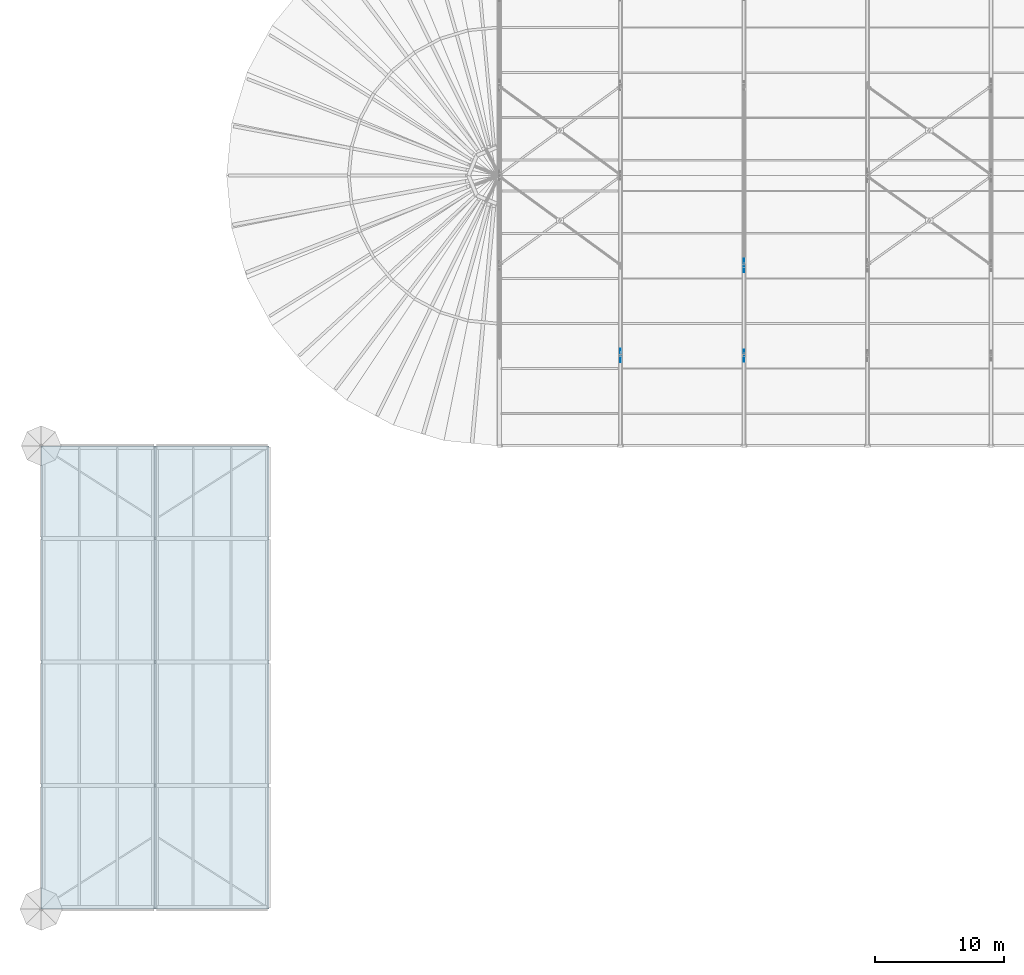
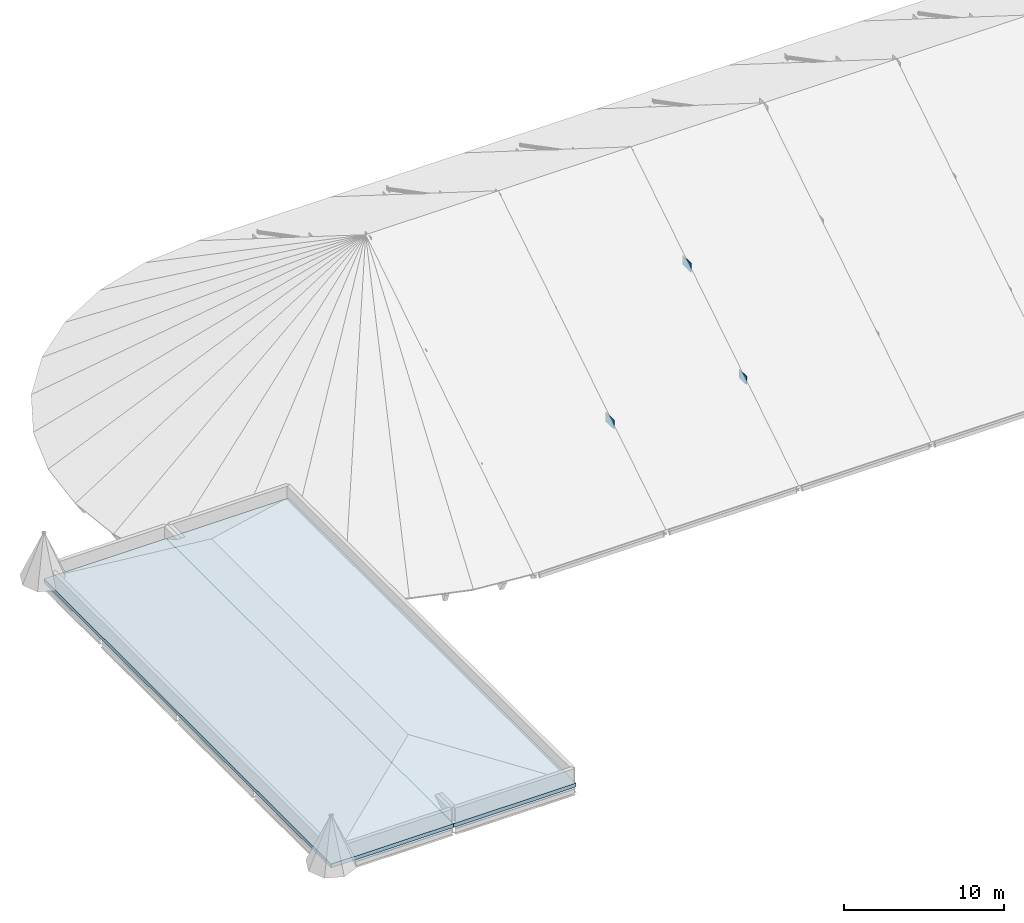
# One storey, part 29 of 66: 3 plates, 2 slabs.
"""IFC4 building model written with IfcOpenShell, lengths in metres."""

from ifc_helpers import new_model, si_unit, direction, frame, origin, origin_2d, place, context, subcontext, project, spatial, polyline, rectangle, outline, extrude, material, layer, layer_set, type_object, element, save


model = new_model("IFC4")

# Units and contexts
model_context = context("Model", 3, precision=1e-05, world=origin(), true_north=direction((0.0, 1.0)))
body_context = subcontext(model_context, "Body", "Model", "MODEL_VIEW")
ifc_project = project(units=[si_unit("LENGTHUNIT", "METRE"), si_unit("AREAUNIT", "SQUARE_METRE"), si_unit("VOLUMEUNIT", "CUBIC_METRE"), si_unit("PLANEANGLEUNIT", "RADIAN"), si_unit("MASSUNIT", "GRAM", prefix="KILO")], contexts=[model_context])

# Site, building, storey
site_placement = place(None, origin())
site = spatial("IfcSite", under=ifc_project, at=site_placement, CompositionType="ELEMENT")
building_placement = place(site_placement, origin())
building = spatial("IfcBuilding", under=site, at=building_placement, Name="Yeouljin Market Hall", CompositionType="ELEMENT")
storey_placement = place(building_placement, frame((0.0, 0.0, 23.39990234375)))
storey = spatial("IfcBuildingStorey", under=building, at=storey_placement, Name="RF", CompositionType="ELEMENT", Elevation=23.39990234375)

# Plates
ifc_material_1 = material(Name="Steel SM355", Category="steel")
ifc_layer_1 = layer(ifc_material_1, 0.030029296875)
ifc_layer_set_1 = layer_set([ifc_layer_1], Name="Steel SM355")
plate_type_1 = type_object("IfcPlateType", Name="GussetPlate_1050x700x30", PredefinedType="USERDEFINED", material=ifc_layer_set_1)
for number, where, z_axis, x_axis, name in (
    (1, (45.0, 43.0, -8.25), (0.0, 0.0, 1.0), (0.0, 1.0, 0.0), "Truss node gusset plate 006"),
    (2, (54.60009765625, 50.0, -3.85009765625), (0.0, 0.0, 1.0), (0.0, 1.0, 0.0), "Truss node gusset plate 012"),
):
    element("IfcPlate", number, at=place(storey_placement, frame(where, z_axis=z_axis, x_axis=x_axis)), inside=storey, type_object=plate_type_1, Name=name, ObjectType="GUSSET PLATE", PredefinedType="USERDEFINED", context=body_context, shape_type="SweptSolid", body=[
        extrude(rectangle(XDim=1.050048828125, YDim=0.030029296875, at=origin_2d()), origin(), (0.0, 0.0, 1.0), 0.699951171875),
    ])
ifc_material_2 = material(Name="Steel SM355", Category="steel")
ifc_layer_2 = layer(ifc_material_2, 0.028076171875)
ifc_layer_set_2 = layer_set([ifc_layer_2], Name="Steel SM355")
plate_type_2 = type_object("IfcPlateType", Name="GussetPlate_950x650x28", PredefinedType="USERDEFINED", material=ifc_layer_set_2)
plate_placement = place(storey_placement, frame((54.60009765625, 43.0, -8.224853515625), z_axis=(0.0, 0.0, 1.0), x_axis=(0.0, 1.0, 0.0)))
element("IfcPlate", 3, at=plate_placement, inside=storey, type_object=plate_type_2, Name="Truss node gusset plate 011", ObjectType="GUSSET PLATE", PredefinedType="USERDEFINED", context=body_context, shape_type="SweptSolid", body=[
    extrude(rectangle(XDim=0.949951171875, YDim=0.028076171875, at=origin_2d()), origin(), (0.0, 0.0, 1.0), 0.64990234375),
])

# Slabs
ifc_material_3 = material(Name="Concrete C30/37", Category="concrete")
ifc_layer_3 = layer(ifc_material_3, 0.2900390625)
ifc_layer_set_3 = layer_set([ifc_layer_3], Name="Concrete C30/37")
slab_type = type_object("IfcSlabType", Name="SLB_ROOF_225", PredefinedType="ROOF", material=ifc_layer_set_3)
slab_1_placement = place(storey_placement, frame((0.0, 0.0, -0.27978515625)))
element("IfcSlab", 4, at=slab_1_placement, inside=storey, type_object=slab_type, Name="Wing structural roof slab RSLB-V2-TOP1", PredefinedType="ROOF", context=body_context, shape_type="SweptSolid", body=[
    extrude(outline(polyline([(0.0, 0.0), (8.85009765625, 0.0), (8.85009765625, 36.0), (0.0, 36.0), (0.0, 0.0)])), origin(), (0.0, 0.0, 1.0), 0.289794921875),
])
slab_2_placement = place(storey_placement, frame((0.0, 0.0, -0.27978515625)))
element("IfcSlab", 5, at=slab_2_placement, inside=storey, type_object=slab_type, Name="Wing structural roof slab RSLB-V2-TOP2", PredefinedType="ROOF", context=body_context, shape_type="SweptSolid", body=[
    extrude(outline(polyline([(8.85009765625, 0.0), (17.699951171875, 0.0), (17.699951171875, 36.0), (8.85009765625, 36.0), (8.85009765625, 0.0)])), origin(), (0.0, 0.0, 1.0), 0.289794921875),
])

save(model, "model.ifc")
